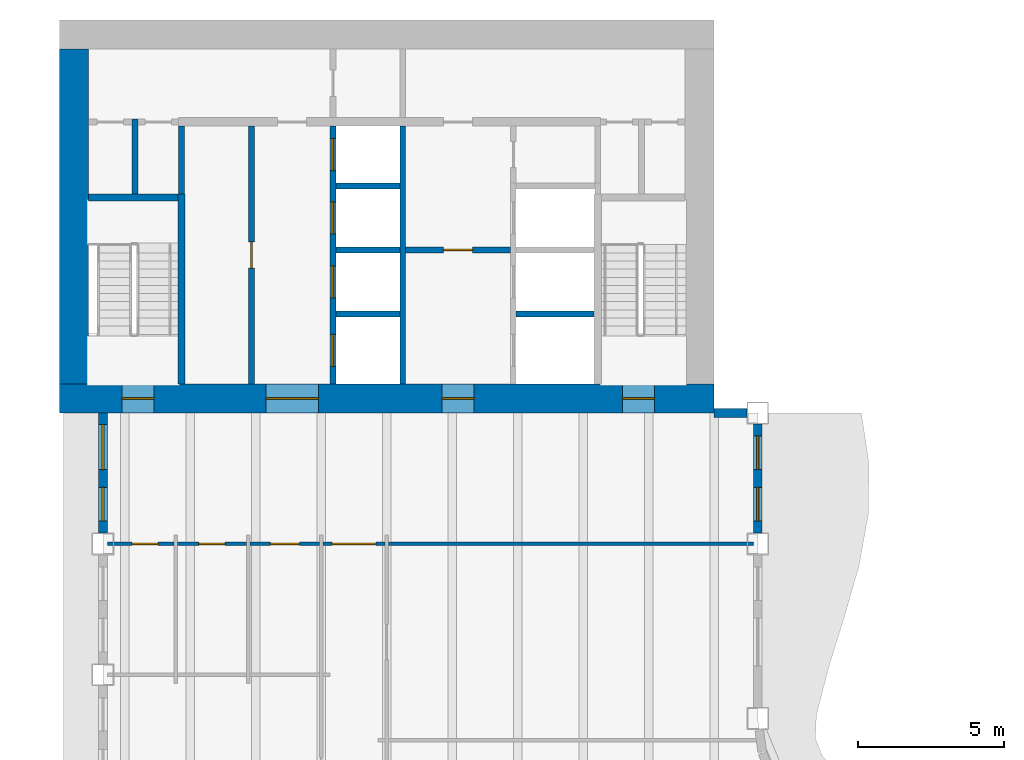
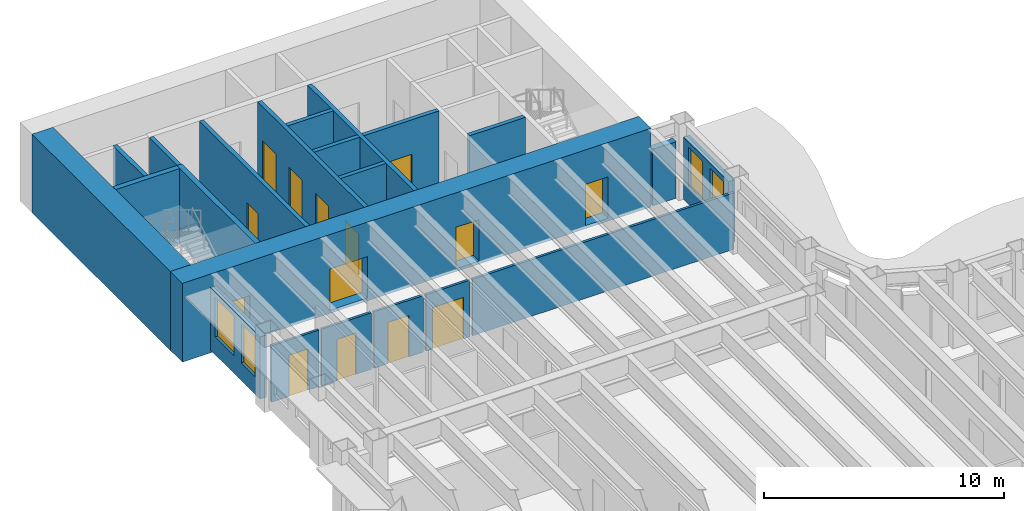
# One storey, part 8 of 16: 22 walls, 14 doors, 4 windows, 18 openings.
"""IFC4 building model written with IfcOpenShell, lengths in metres."""

from ifc_helpers import new_model, si_unit, direction, frame, frame_2d, origin, place, context, subcontext, project, spatial, rectangle, extrude, material, layer, layer_set, type_object, element, fill, save


model = new_model("IFC4")

# Units and contexts
model_context = context("Model", 3, precision=1e-05, world=origin(), true_north=direction((0.0, 1.0)))
body_context = subcontext(model_context, "Body", "Model", "MODEL_VIEW")
ifc_project = project(units=[si_unit("LENGTHUNIT", "METRE"), si_unit("AREAUNIT", "SQUARE_METRE"), si_unit("VOLUMEUNIT", "CUBIC_METRE"), si_unit("PLANEANGLEUNIT", "RADIAN"), si_unit("MASSUNIT", "GRAM", prefix="KILO")], contexts=[model_context])

# Site, building, storey
site_placement = place(None, origin())
site = spatial("IfcSite", under=ifc_project, at=site_placement, CompositionType="ELEMENT")
building_placement = place(site_placement, origin())
building = spatial("IfcBuilding", under=site, at=building_placement, Name="Sennacour Bend Tower", CompositionType="ELEMENT")
storey_placement = place(building_placement, frame((0.0, 0.0, 223.0)))
storey = spatial("IfcBuildingStorey", under=building, at=storey_placement, Name="L51", CompositionType="ELEMENT", Elevation=223.0)

# Wall, openings, doors
ifc_material_1 = material(Name="Concrete C60/75", Category="concrete")
ifc_layer_1 = layer(ifc_material_1, 1.0, Name="Concrete C60/75", Category="concrete")
ifc_layer_set_1 = layer_set([ifc_layer_1], Name="Concrete C60/75")
wall_type_1 = type_object("IfcWallType", Name="Core wall 1000 C60/75", PredefinedType="SHEAR", material=ifc_layer_set_1)
wall_1_placement = place(storey_placement, frame((0.0, 36.5, -0.14990234375), z_axis=(0.0, 0.0, 1.0), x_axis=(1.0, 0.0, 0.0)))
wall_1 = element("IfcWall", 1, at=wall_1_placement, inside=storey, type_object=wall_type_1, Name="Core B wall L51 S", PredefinedType="SHEAR", context=body_context, shape_type="SweptSolid", body=[
    extrude(rectangle(XDim=22.5, YDim=1.0, at=frame_2d((11.25, 0.0))), origin(), (0.0, 0.0, 1.0), 4.0),
])
opening_1_placement = place(wall_1_placement, frame((7.10009765625, 0.0, 0.14990234375)))
opening_1 = element("IfcOpeningElement", 2, at=opening_1_placement, cuts=wall_1, Name="Opening CD", PredefinedType="OPENING", context=body_context, shape_type="SweptSolid", body=[
    extrude(rectangle(XDim=1.800048828125, YDim=2.10009765625, at=frame_2d((0.89990234375, 1.050048828125))), frame((0.0, 0.510009765625, 0.0), z_axis=(0.0, -1.0, 0.0), x_axis=(1.0, 0.0, 0.0)), (0.0, 0.0, 1.0), 1.02001953125),
])
opening_2_placement = place(wall_1_placement, frame((13.14990234375, 0.0, 0.14990234375)))
opening_2 = element("IfcOpeningElement", 3, at=opening_2_placement, cuts=wall_1, Name="Opening FD", PredefinedType="OPENING", context=body_context, shape_type="SweptSolid", body=[
    extrude(rectangle(XDim=1.10009765625, YDim=2.10009765625, at=frame_2d((0.550048828125, 1.050048828125))), frame((0.0, 0.510009765625, 0.0), z_axis=(0.0, -1.0, 0.0), x_axis=(1.0, 0.0, 0.0)), (0.0, 0.0, 1.0), 1.02001953125),
])
opening_3_placement = place(wall_1_placement, frame((2.14990234375, 0.0, 0.14990234375)))
opening_3 = element("IfcOpeningElement", 4, at=opening_3_placement, cuts=wall_1, Name="Opening SD", PredefinedType="OPENING", context=body_context, shape_type="SweptSolid", body=[
    extrude(rectangle(XDim=1.10009765625, YDim=2.10009765625, at=frame_2d((0.550048828125, 1.050048828125))), frame((0.0, 0.510009765625, 0.0), z_axis=(0.0, -1.0, 0.0), x_axis=(1.0, 0.0, 0.0)), (0.0, 0.0, 1.0), 1.02001953125),
])
opening_4_placement = place(wall_1_placement, frame((19.35009765625, 0.0, 0.14990234375)))
opening_4 = element("IfcOpeningElement", 5, at=opening_4_placement, cuts=wall_1, Name="Opening SD", PredefinedType="OPENING", context=body_context, shape_type="SweptSolid", body=[
    extrude(rectangle(XDim=1.10009765625, YDim=2.10009765625, at=frame_2d((0.550048828125, 1.050048828125))), frame((0.0, 0.510009765625, 0.0), z_axis=(0.0, -1.0, 0.0), x_axis=(1.0, 0.0, 0.0)), (0.0, 0.0, 1.0), 1.02001953125),
])
ifc_material_2 = material(Name="Painted steel", Category="steel")
door_type_1 = type_object("IfcDoorType", Name="DR-FFL-1100", OperationType="NOTDEFINED", PredefinedType="DOOR", material=ifc_material_2)
door_1_placement = place(opening_2_placement, origin())
door_1 = element("IfcDoor", 6, at=door_1_placement, inside=storey, type_object=door_type_1, Name="Door", OperationType="SINGLE_SWING_RIGHT", OverallHeight=2.10009765625, OverallWidth=1.10009765625, PredefinedType="DOOR", context=body_context, shape_type="SweptSolid", body=[
    extrude(rectangle(XDim=1.10009765625, YDim=2.10009765625, at=frame_2d((0.550048828125, 1.050048828125))), frame((0.0, 0.02490234375, 0.0), z_axis=(0.0, -1.0, 0.0), x_axis=(1.0, 0.0, 0.0)), (0.0, 0.0, 1.0), 0.050048828125),
])
fill(opening_2, door_1)
door_type_2 = type_object("IfcDoorType", Name="DR-LOBBY-1800", OperationType="NOTDEFINED", PredefinedType="DOOR", material=ifc_material_2)
door_2_placement = place(opening_1_placement, origin())
door_2 = element("IfcDoor", 7, at=door_2_placement, inside=storey, type_object=door_type_2, Name="Door", OperationType="DOUBLE_DOOR_SINGLE_SWING", OverallHeight=2.10009765625, OverallWidth=1.800048828125, PredefinedType="DOOR", context=body_context, shape_type="SweptSolid", body=[
    extrude(rectangle(XDim=1.800048828125, YDim=2.10009765625, at=frame_2d((0.89990234375, 1.050048828125))), frame((0.0, 0.02490234375, 0.0), z_axis=(0.0, -1.0, 0.0), x_axis=(1.0, 0.0, 0.0)), (0.0, 0.0, 1.0), 0.050048828125),
])
fill(opening_1, door_2)
door_type_3 = type_object("IfcDoorType", Name="DR-STAIR-1100", OperationType="NOTDEFINED", PredefinedType="DOOR", material=ifc_material_2)
door_3_placement = place(opening_3_placement, origin())
door_3 = element("IfcDoor", 8, at=door_3_placement, inside=storey, type_object=door_type_3, Name="Door", OperationType="SINGLE_SWING_LEFT", OverallHeight=2.10009765625, OverallWidth=1.10009765625, PredefinedType="DOOR", context=body_context, shape_type="SweptSolid", body=[
    extrude(rectangle(XDim=1.10009765625, YDim=2.10009765625, at=frame_2d((0.550048828125, 1.050048828125))), frame((0.0, 0.02490234375, 0.0), z_axis=(0.0, -1.0, 0.0), x_axis=(1.0, 0.0, 0.0)), (0.0, 0.0, 1.0), 0.050048828125),
])
fill(opening_3, door_3)
door_4_placement = place(opening_4_placement, origin())
door_4 = element("IfcDoor", 9, at=door_4_placement, inside=storey, type_object=door_type_3, Name="Door", OperationType="SINGLE_SWING_RIGHT", OverallHeight=2.10009765625, OverallWidth=1.10009765625, PredefinedType="DOOR", context=body_context, shape_type="SweptSolid", body=[
    extrude(rectangle(XDim=1.10009765625, YDim=2.10009765625, at=frame_2d((0.550048828125, 1.050048828125))), frame((0.0, 0.02490234375, 0.0), z_axis=(0.0, -1.0, 0.0), x_axis=(1.0, 0.0, 0.0)), (0.0, 0.0, 1.0), 0.050048828125),
])
fill(opening_4, door_4)

# Wall
wall_2_placement = place(storey_placement, frame((0.5, 37.0, -0.14990234375), z_axis=(0.0, 0.0, 1.0), x_axis=(0.0, 1.0, 0.0)))
element("IfcWall", 10, at=wall_2_placement, inside=storey, type_object=wall_type_1, Name="Core B wall L51 W", PredefinedType="SHEAR", context=body_context, shape_type="SweptSolid", body=[
    extrude(rectangle(XDim=11.5, YDim=1.0, at=frame_2d((5.75, 0.0))), origin(), (0.0, 0.0, 1.0), 4.0),
])

# Wall, opening, door
ifc_material_3 = material(Name="Plasterboard partition on steel studs", Category="steel")
ifc_layer_2 = layer(ifc_material_3, 0.1201171875, Name="Plasterboard partition on steel studs", Category="steel")
ifc_layer_set_2 = layer_set([ifc_layer_2], Name="Plasterboard partition on steel studs")
wall_type_2 = type_object("IfcWallType", Name="Partition 120", PredefinedType="PARTITIONING", material=ifc_layer_set_2)
wall_3_placement = place(storey_placement, frame((1.64990234375, 31.5, 0.0), z_axis=(0.0, 0.0, 1.0), x_axis=(1.0, 0.0, 0.0)))
wall_3 = element("IfcWall", 11, at=wall_3_placement, inside=storey, type_object=wall_type_2, Name="P-L51-W084aa", PredefinedType="PARTITIONING", context=body_context, shape_type="SweptSolid", body=[
    extrude(rectangle(XDim=2.2900390625, YDim=0.1201171875, at=frame_2d((1.14501953125, 0.0))), origin(), (0.0, 0.0, 1.0), 2.8701171875),
])
opening_5_placement = place(wall_3_placement, frame((0.85009765625, 0.0, 0.0)))
opening_5 = element("IfcOpeningElement", 12, at=opening_5_placement, cuts=wall_3, Name="Opening WD", PredefinedType="OPENING", context=body_context, shape_type="SweptSolid", body=[
    extrude(rectangle(XDim=0.89990234375, YDim=2.10009765625, at=frame_2d((0.449951171875, 1.050048828125))), frame((0.0, 0.070068359375, 0.0), z_axis=(0.0, -1.0, 0.0), x_axis=(1.0, 0.0, 0.0)), (0.0, 0.0, 1.0), 0.14013671875),
])
ifc_material_4 = material(Name="Timber", Category="wood")
door_type_4 = type_object("IfcDoorType", Name="DR-WC-900", OperationType="NOTDEFINED", PredefinedType="DOOR", material=ifc_material_4)
door_5_placement = place(opening_5_placement, origin())
door_5 = element("IfcDoor", 13, at=door_5_placement, inside=storey, type_object=door_type_4, Name="Door", OperationType="SINGLE_SWING_RIGHT", OverallHeight=2.10009765625, OverallWidth=0.89990234375, PredefinedType="DOOR", context=body_context, shape_type="SweptSolid", body=[
    extrude(rectangle(XDim=0.89990234375, YDim=2.10009765625, at=frame_2d((0.449951171875, 1.050048828125))), frame((0.0, 0.02490234375, 0.0), z_axis=(0.0, -1.0, 0.0), x_axis=(1.0, 0.0, 0.0)), (0.0, 0.0, 1.0), 0.050048828125),
])
fill(opening_5, door_5)

wall_4_placement = place(storey_placement, frame((4.06005859375, 31.5, 0.0), z_axis=(0.0, 0.0, 1.0), x_axis=(1.0, 0.0, 0.0)))
wall_4 = element("IfcWall", 14, at=wall_4_placement, inside=storey, type_object=wall_type_2, Name="P-L51-W084ab", PredefinedType="PARTITIONING", context=body_context, shape_type="SweptSolid", body=[
    extrude(rectangle(XDim=2.3798828125, YDim=0.1201171875, at=frame_2d((1.18994140625, 0.0))), origin(), (0.0, 0.0, 1.0), 2.8701171875),
])
opening_6_placement = place(wall_4_placement, frame((0.739990234375, 0.0, 0.0)))
opening_6 = element("IfcOpeningElement", 15, at=opening_6_placement, cuts=wall_4, Name="Opening WD", PredefinedType="OPENING", context=body_context, shape_type="SweptSolid", body=[
    extrude(rectangle(XDim=0.89990234375, YDim=2.10009765625, at=frame_2d((0.449951171875, 1.050048828125))), frame((0.0, 0.070068359375, 0.0), z_axis=(0.0, -1.0, 0.0), x_axis=(1.0, 0.0, 0.0)), (0.0, 0.0, 1.0), 0.14013671875),
])
door_6_placement = place(opening_6_placement, origin())
door_6 = element("IfcDoor", 16, at=door_6_placement, inside=storey, type_object=door_type_4, Name="Door", OperationType="SINGLE_SWING_LEFT", OverallHeight=2.10009765625, OverallWidth=0.89990234375, PredefinedType="DOOR", context=body_context, shape_type="SweptSolid", body=[
    extrude(rectangle(XDim=0.89990234375, YDim=2.10009765625, at=frame_2d((0.449951171875, 1.050048828125))), frame((0.0, 0.02490234375, 0.0), z_axis=(0.0, -1.0, 0.0), x_axis=(1.0, 0.0, 0.0)), (0.0, 0.0, 1.0), 0.050048828125),
])
fill(opening_6, door_6)

wall_5_placement = place(storey_placement, frame((6.56005859375, 31.5, 0.0), z_axis=(0.0, 0.0, 1.0), x_axis=(1.0, 0.0, 0.0)))
wall_5 = element("IfcWall", 17, at=wall_5_placement, inside=storey, type_object=wall_type_2, Name="P-L51-W084ac", PredefinedType="PARTITIONING", context=body_context, shape_type="SweptSolid", body=[
    extrude(rectangle(XDim=2.3798828125, YDim=0.1201171875, at=frame_2d((1.18994140625, 0.0))), origin(), (0.0, 0.0, 1.0), 2.8701171875),
])
opening_7_placement = place(wall_5_placement, frame((0.68994140625, 0.0, 0.0)))
opening_7 = element("IfcOpeningElement", 18, at=opening_7_placement, cuts=wall_5, Name="Opening AD", PredefinedType="OPENING", context=body_context, shape_type="SweptSolid", body=[
    extrude(rectangle(XDim=1.0, YDim=2.10009765625, at=frame_2d((0.5, 1.050048828125))), frame((0.0, 0.070068359375, 0.0), z_axis=(0.0, -1.0, 0.0), x_axis=(1.0, 0.0, 0.0)), (0.0, 0.0, 1.0), 0.14013671875),
])
door_type_5 = type_object("IfcDoorType", Name="DR-ACC-WC-1000", OperationType="NOTDEFINED", PredefinedType="DOOR", material=ifc_material_4)
door_7_placement = place(opening_7_placement, origin())
door_7 = element("IfcDoor", 19, at=door_7_placement, inside=storey, type_object=door_type_5, Name="Door", OperationType="SINGLE_SWING_LEFT", OverallHeight=2.10009765625, OverallWidth=1.0, PredefinedType="DOOR", context=body_context, shape_type="SweptSolid", body=[
    extrude(rectangle(XDim=1.0, YDim=2.10009765625, at=frame_2d((0.5, 1.050048828125))), frame((0.0, 0.02490234375, 0.0), z_axis=(0.0, -1.0, 0.0), x_axis=(1.0, 0.0, 0.0)), (0.0, 0.0, 1.0), 0.050048828125),
])
fill(opening_7, door_7)

# Wall
wall_6_placement = place(storey_placement, frame((11.31005859375, 31.5, 0.0), z_axis=(0.0, 0.0, 1.0), x_axis=(1.0, 0.0, 0.0)))
element("IfcWall", 20, at=wall_6_placement, inside=storey, type_object=wall_type_2, Name="P-L51-W084ae", PredefinedType="PARTITIONING", context=body_context, shape_type="SweptSolid", body=[
    extrude(rectangle(XDim=12.5400390625, YDim=0.1201171875, at=frame_2d((6.27001953125, 0.0))), origin(), (0.0, 0.0, 1.0), 2.8701171875),
])

# Wall, opening, door
ifc_layer_3 = layer(ifc_material_3, 0.1201171875, Name="Plasterboard partition on steel studs", Category="steel")
ifc_layer_set_3 = layer_set([ifc_layer_3], Name="Plasterboard partition on steel studs")
wall_type_3 = type_object("IfcWallType", Name="Partition 120 EI 30", PredefinedType="PARTITIONING", material=ifc_layer_set_3)
wall_7_placement = place(storey_placement, frame((9.06005859375, 31.5, 0.0), z_axis=(0.0, 0.0, 1.0), x_axis=(1.0, 0.0, 0.0)))
wall_7 = element("IfcWall", 21, at=wall_7_placement, inside=storey, type_object=wall_type_3, Name="P-L51-W084ad", PredefinedType="PARTITIONING", context=body_context, shape_type="SweptSolid", body=[
    extrude(rectangle(XDim=2.1298828125, YDim=0.1201171875, at=frame_2d((1.06494140625, 0.0))), origin(), (0.0, 0.0, 1.0), 2.8701171875),
])
opening_8_placement = place(wall_7_placement, frame((0.31494140625, 0.0, 0.0)))
opening_8 = element("IfcOpeningElement", 22, at=opening_8_placement, cuts=wall_7, Name="Opening KD", PredefinedType="OPENING", context=body_context, shape_type="SweptSolid", body=[
    extrude(rectangle(XDim=1.5, YDim=2.10009765625, at=frame_2d((0.75, 1.050048828125))), frame((0.0, 0.070068359375, 0.0), z_axis=(0.0, -1.0, 0.0), x_axis=(1.0, 0.0, 0.0)), (0.0, 0.0, 1.0), 0.14013671875),
])
door_type_6 = type_object("IfcDoorType", Name="DR-CORRIDOR-1500", OperationType="NOTDEFINED", PredefinedType="DOOR", material=ifc_material_2)
door_8_placement = place(opening_8_placement, origin())
door_8 = element("IfcDoor", 23, at=door_8_placement, inside=storey, type_object=door_type_6, Name="Door", OperationType="SINGLE_SWING_LEFT", OverallHeight=2.10009765625, OverallWidth=1.5, PredefinedType="DOOR", context=body_context, shape_type="SweptSolid", body=[
    extrude(rectangle(XDim=1.5, YDim=2.10009765625, at=frame_2d((0.75, 1.050048828125))), frame((0.0, 0.02490234375, 0.0), z_axis=(0.0, -1.0, 0.0), x_axis=(1.0, 0.0, 0.0)), (0.0, 0.0, 1.0), 0.050048828125),
])
fill(opening_8, door_8)

# Walls
ifc_material_5 = material(Name="Fire-rated plasterboard partition on steel studs", Category="steel")
ifc_layer_4 = layer(ifc_material_5, 0.199951171875, Name="Fire-rated plasterboard partition on steel studs", Category="steel")
ifc_layer_set_4 = layer_set([ifc_layer_4], Name="Fire-rated plasterboard partition on steel studs")
wall_type_4 = type_object("IfcWallType", Name="Rated partition 200", PredefinedType="PARTITIONING", material=ifc_layer_set_4)
wall_8_placement = place(storey_placement, frame((2.60009765625, 43.52490234375, 0.0), z_axis=(0.0, 0.0, 1.0), x_axis=(0.0, 1.0, 0.0)))
element("IfcWall", 24, at=wall_8_placement, inside=storey, type_object=wall_type_4, Name="P-L51-W004", PredefinedType="PARTITIONING", context=body_context, shape_type="SweptSolid", body=[
    extrude(rectangle(XDim=2.5751953125, YDim=0.199951171875, at=frame_2d((1.28759765625, 0.0))), origin(), (0.0, 0.0, 1.0), 3.85009765625),
])
wall_9_placement = place(storey_placement, frame((4.199951171875, 43.52490234375, 0.0), z_axis=(0.0, 0.0, 1.0), x_axis=(0.0, 1.0, 0.0)))
element("IfcWall", 25, at=wall_9_placement, inside=storey, type_object=wall_type_4, Name="P-L51-W007", PredefinedType="PARTITIONING", context=body_context, shape_type="SweptSolid", body=[
    extrude(rectangle(XDim=2.3251953125, YDim=0.199951171875, at=frame_2d((1.16259765625, 0.0))), origin(), (0.0, 0.0, 1.0), 3.85009765625),
])

# Wall, opening, door
wall_10_placement = place(storey_placement, frame((6.60009765625, 37.0, 0.0), z_axis=(0.0, 0.0, 1.0), x_axis=(0.0, 1.0, 0.0)))
wall_10 = element("IfcWall", 26, at=wall_10_placement, inside=storey, type_object=wall_type_4, Name="P-L51-W009", PredefinedType="PARTITIONING", context=body_context, shape_type="SweptSolid", body=[
    extrude(rectangle(XDim=8.85009765625, YDim=0.199951171875, at=frame_2d((4.425048828125, 0.0))), origin(), (0.0, 0.0, 1.0), 3.85009765625),
])
opening_9_placement = place(wall_10_placement, frame((3.97509765625, 0.0, 0.0)))
opening_9 = element("IfcOpeningElement", 27, at=opening_9_placement, cuts=wall_10, Name="Opening SV", PredefinedType="OPENING", context=body_context, shape_type="SweptSolid", body=[
    extrude(rectangle(XDim=0.89990234375, YDim=2.10009765625, at=frame_2d((0.449951171875, 1.050048828125))), frame((0.0, 0.10986328125, 0.0), z_axis=(0.0, -1.0, 0.0), x_axis=(1.0, 0.0, 0.0)), (0.0, 0.0, 1.0), 0.219970703125),
])
door_type_7 = type_object("IfcDoorType", Name="DR-SERVICE-900", OperationType="NOTDEFINED", PredefinedType="DOOR", material=ifc_material_2)
door_9_placement = place(opening_9_placement, origin())
door_9 = element("IfcDoor", 28, at=door_9_placement, inside=storey, type_object=door_type_7, Name="Door", OperationType="SINGLE_SWING_LEFT", OverallHeight=2.10009765625, OverallWidth=0.89990234375, PredefinedType="DOOR", context=body_context, shape_type="SweptSolid", body=[
    extrude(rectangle(XDim=0.89990234375, YDim=2.10009765625, at=frame_2d((0.449951171875, 1.050048828125))), frame((0.0, 0.02490234375, 0.0), z_axis=(0.0, -1.0, 0.0), x_axis=(1.0, 0.0, 0.0)), (0.0, 0.0, 1.0), 0.050048828125),
])
fill(opening_9, door_9)

ifc_layer_5 = layer(ifc_material_5, 0.199951171875, Name="Fire-rated plasterboard partition on steel studs", Category="steel")
ifc_layer_set_5 = layer_set([ifc_layer_5], Name="Fire-rated plasterboard partition on steel studs")
wall_type_5 = type_object("IfcWallType", Name="Rated partition 200 EI 90", PredefinedType="PARTITIONING", material=ifc_layer_set_5)
wall_11_placement = place(storey_placement, frame((11.89990234375, 41.60009765625, 0.0), z_axis=(0.0, 0.0, 1.0), x_axis=(1.0, 0.0, 0.0)))
wall_11 = element("IfcWall", 29, at=wall_11_placement, inside=storey, type_object=wall_type_5, Name="P-L51-W089", PredefinedType="PARTITIONING", context=body_context, shape_type="SweptSolid", body=[
    extrude(rectangle(XDim=3.60009765625, YDim=0.199951171875, at=frame_2d((1.800048828125, 0.0))), origin(), (0.0, 0.0, 1.0), 3.85009765625),
])
opening_10_placement = place(wall_11_placement, frame((1.300048828125, 0.0, 0.0)))
opening_10 = element("IfcOpeningElement", 30, at=opening_10_placement, cuts=wall_11, Name="Opening FD2", PredefinedType="OPENING", context=body_context, shape_type="SweptSolid", body=[
    extrude(rectangle(XDim=1.0, YDim=2.10009765625, at=frame_2d((0.5, 1.050048828125))), frame((0.0, 0.10986328125, 0.0), z_axis=(0.0, -1.0, 0.0), x_axis=(1.0, 0.0, 0.0)), (0.0, 0.0, 1.0), 0.219970703125),
])
door_type_8 = type_object("IfcDoorType", Name="DR-FFL-1000", OperationType="NOTDEFINED", PredefinedType="DOOR", material=ifc_material_2)
door_10_placement = place(opening_10_placement, origin())
door_10 = element("IfcDoor", 31, at=door_10_placement, inside=storey, type_object=door_type_8, Name="Door", OperationType="SINGLE_SWING_RIGHT", OverallHeight=2.10009765625, OverallWidth=1.0, PredefinedType="DOOR", context=body_context, shape_type="SweptSolid", body=[
    extrude(rectangle(XDim=1.0, YDim=2.10009765625, at=frame_2d((0.5, 1.050048828125))), frame((0.0, 0.02490234375, 0.0), z_axis=(0.0, -1.0, 0.0), x_axis=(1.0, 0.0, 0.0)), (0.0, 0.0, 1.0), 0.050048828125),
])
fill(opening_10, door_10)

# Wall, openings, windows
ifc_material_6 = material(Name="Warm limestone cladding", Category="masonry")
ifc_layer_6 = layer(ifc_material_6, 0.050048828125, Name="Warm limestone cladding", Category="masonry")
ifc_material_7 = material(Name="Precast concrete C40/50", Category="concrete")
ifc_layer_7 = layer(ifc_material_7, 0.25, Name="Precast concrete C40/50", Category="concrete")
ifc_layer_set_6 = layer_set([ifc_layer_6, ifc_layer_7], Name="Precast concrete C40/50 with limestone cladding")
wall_type_6 = type_object("IfcWallType", Name="STONE-CLAD PRECAST SPANDREL 300", PredefinedType="STANDARD", material=ifc_layer_set_6)
wall_12_placement = place(storey_placement, frame((24.0, 31.875, 0.0), z_axis=(0.0, 0.0, 1.0), x_axis=(0.0, 1.0, 0.0)))
wall_12 = element("IfcWall", 32, at=wall_12_placement, inside=storey, type_object=wall_type_6, Name="Stone spandrel and pier wall L51 13.01", PredefinedType="STANDARD", context=body_context, shape_type="SweptSolid", body=[
    extrude(rectangle(XDim=3.75, YDim=0.300048828125, at=frame_2d((1.875, 0.0))), origin(), (0.0, 0.0, 1.0), 3.156982421875),
])
opening_11_placement = place(wall_12_placement, frame((0.41259765625, 0.0, 0.89990234375)))
opening_11 = element("IfcOpeningElement", 33, at=opening_11_placement, cuts=wall_12, Name="Opening W24", PredefinedType="OPENING", context=body_context, shape_type="SweptSolid", body=[
    extrude(rectangle(XDim=1.14990234375, YDim=2.0, at=frame_2d((0.574951171875, 1.0))), frame((0.0, 0.16015625, 0.0), z_axis=(0.0, -1.0, 0.0), x_axis=(1.0, 0.0, 0.0)), (0.0, 0.0, 1.0), 0.320068359375),
])
opening_12_placement = place(wall_12_placement, frame((2.1875, 0.0, 0.89990234375)))
opening_12 = element("IfcOpeningElement", 34, at=opening_12_placement, cuts=wall_12, Name="Opening W24", PredefinedType="OPENING", context=body_context, shape_type="SweptSolid", body=[
    extrude(rectangle(XDim=1.14990234375, YDim=2.0, at=frame_2d((0.574951171875, 1.0))), frame((0.0, 0.16015625, 0.0), z_axis=(0.0, -1.0, 0.0), x_axis=(1.0, 0.0, 0.0)), (0.0, 0.0, 1.0), 0.320068359375),
])
ifc_material_8 = material(Name="Clear low-emissivity glass", Category="glass")
window_type_1 = type_object("IfcWindowType", Name="WIN-RIBBON-1150x2000", PartitioningType="SINGLE_PANEL", PredefinedType="WINDOW", material=ifc_material_8)
window_1_placement = place(opening_11_placement, origin())
window_1 = element("IfcWindow", 35, at=window_1_placement, inside=storey, type_object=window_type_1, Name="Ribbon window L51 13.01.0", OverallHeight=2.0, OverallWidth=1.14990234375, PartitioningType="SINGLE_PANEL", PredefinedType="WINDOW", context=body_context, shape_type="SweptSolid", body=[
    extrude(rectangle(XDim=1.14990234375, YDim=2.0, at=frame_2d((0.574951171875, 1.0))), frame((0.0, 0.030029296875, 0.0), z_axis=(0.0, -1.0, 0.0), x_axis=(1.0, 0.0, 0.0)), (0.0, 0.0, 1.0), 0.06005859375),
])
fill(opening_11, window_1)
window_2_placement = place(opening_12_placement, origin())
window_2 = element("IfcWindow", 36, at=window_2_placement, inside=storey, type_object=window_type_1, Name="Ribbon window L51 13.01.1", OverallHeight=2.0, OverallWidth=1.14990234375, PartitioningType="SINGLE_PANEL", PredefinedType="WINDOW", context=body_context, shape_type="SweptSolid", body=[
    extrude(rectangle(XDim=1.14990234375, YDim=2.0, at=frame_2d((0.574951171875, 1.0))), frame((0.0, 0.030029296875, 0.0), z_axis=(0.0, -1.0, 0.0), x_axis=(1.0, 0.0, 0.0)), (0.0, 0.0, 1.0), 0.06005859375),
])
fill(opening_12, window_2)

# Wall
wall_13_placement = place(storey_placement, frame((23.625, 36.0, 0.0), z_axis=(0.0, 0.0, 1.0), x_axis=(-1.0, 0.0, 0.0)))
element("IfcWall", 37, at=wall_13_placement, inside=storey, type_object=wall_type_6, Name="Stone spandrel and pier wall L51 14.00", PredefinedType="STANDARD", context=body_context, shape_type="SweptSolid", body=[
    extrude(rectangle(XDim=1.125, YDim=0.300048828125, at=frame_2d((0.5625, 0.0))), origin(), (0.0, 0.0, 1.0), 2.8701171875),
])

# Wall, openings, windows
wall_14_placement = place(storey_placement, frame((1.5, 36.0, 0.0), z_axis=(0.0, 0.0, 1.0), x_axis=(0.0, -1.0, 0.0)))
wall_14 = element("IfcWall", 38, at=wall_14_placement, inside=storey, type_object=wall_type_6, Name="Stone spandrel and pier wall L51 19.00", PredefinedType="STANDARD", context=body_context, shape_type="SweptSolid", body=[
    extrude(rectangle(XDim=4.125, YDim=0.300048828125, at=frame_2d((2.0625, 0.0))), origin(), (0.0, 0.0, 1.0), 3.156982421875),
])
opening_13_placement = place(wall_14_placement, frame((0.39990234375, 0.0, 0.89990234375)))
opening_13 = element("IfcOpeningElement", 39, at=opening_13_placement, cuts=wall_14, Name="Opening W9", PredefinedType="OPENING", context=body_context, shape_type="SweptSolid", body=[
    extrude(rectangle(XDim=1.550048828125, YDim=2.0, at=frame_2d((0.77490234375, 1.0))), frame((0.0, 0.16015625, 0.0), z_axis=(0.0, -1.0, 0.0), x_axis=(1.0, 0.0, 0.0)), (0.0, 0.0, 1.0), 0.320068359375),
])
opening_14_placement = place(wall_14_placement, frame((2.5625, 0.0, 0.89990234375)))
opening_14 = element("IfcOpeningElement", 40, at=opening_14_placement, cuts=wall_14, Name="Opening W24", PredefinedType="OPENING", context=body_context, shape_type="SweptSolid", body=[
    extrude(rectangle(XDim=1.14990234375, YDim=2.0, at=frame_2d((0.574951171875, 1.0))), frame((0.0, 0.16015625, 0.0), z_axis=(0.0, -1.0, 0.0), x_axis=(1.0, 0.0, 0.0)), (0.0, 0.0, 1.0), 0.320068359375),
])
window_3_placement = place(opening_14_placement, origin())
window_3 = element("IfcWindow", 41, at=window_3_placement, inside=storey, type_object=window_type_1, Name="Ribbon window L51 19.00.1", OverallHeight=2.0, OverallWidth=1.14990234375, PartitioningType="SINGLE_PANEL", PredefinedType="WINDOW", context=body_context, shape_type="SweptSolid", body=[
    extrude(rectangle(XDim=1.14990234375, YDim=2.0, at=frame_2d((0.574951171875, 1.0))), frame((0.0, 0.030029296875, 0.0), z_axis=(0.0, -1.0, 0.0), x_axis=(1.0, 0.0, 0.0)), (0.0, 0.0, 1.0), 0.06005859375),
])
fill(opening_14, window_3)
window_type_2 = type_object("IfcWindowType", Name="WIN-RIBBON-1550x2000", PartitioningType="SINGLE_PANEL", PredefinedType="WINDOW", material=ifc_material_8)
window_4_placement = place(opening_13_placement, origin())
window_4 = element("IfcWindow", 42, at=window_4_placement, inside=storey, type_object=window_type_2, Name="Ribbon window L51 19.00.0", OverallHeight=2.0, OverallWidth=1.550048828125, PartitioningType="SINGLE_PANEL", PredefinedType="WINDOW", context=body_context, shape_type="SweptSolid", body=[
    extrude(rectangle(XDim=1.550048828125, YDim=2.0, at=frame_2d((0.77490234375, 1.0))), frame((0.0, 0.030029296875, 0.0), z_axis=(0.0, -1.0, 0.0), x_axis=(1.0, 0.0, 0.0)), (0.0, 0.0, 1.0), 0.06005859375),
])
fill(opening_13, window_4)

# Wall, openings, doors
ifc_material_9 = material(Name="Concrete C50/60", Category="concrete")
ifc_layer_8 = layer(ifc_material_9, 0.199951171875, Name="Concrete C50/60", Category="concrete")
ifc_layer_set_7 = layer_set([ifc_layer_8], Name="Concrete C50/60")
wall_type_7 = type_object("IfcWallType", Name="Shaft wall 200", PredefinedType="SOLIDWALL", material=ifc_layer_set_7)
wall_15_placement = place(storey_placement, frame((9.39990234375, 37.0, 0.0), z_axis=(0.0, 0.0, 1.0), x_axis=(0.0, 1.0, 0.0)))
wall_15 = element("IfcWall", 43, at=wall_15_placement, inside=storey, type_object=wall_type_7, Name="P-L51-W012", PredefinedType="SOLIDWALL", context=body_context, shape_type="SweptSolid", body=[
    extrude(rectangle(XDim=8.85009765625, YDim=0.199951171875, at=frame_2d((4.425048828125, 0.0))), origin(), (0.0, 0.0, 1.0), 3.85009765625),
])
opening_15_placement = place(wall_15_placement, frame((0.60009765625, 0.0, 0.011962890625)))
opening_15 = element("IfcOpeningElement", 44, at=opening_15_placement, cuts=wall_15, Name="Opening LD", PredefinedType="OPENING", context=body_context, shape_type="SweptSolid", body=[
    extrude(rectangle(XDim=1.10009765625, YDim=2.10009765625, at=frame_2d((0.550048828125, 1.050048828125))), frame((0.0, 0.10986328125, 0.0), z_axis=(0.0, -1.0, 0.0), x_axis=(1.0, 0.0, 0.0)), (0.0, 0.0, 1.0), 0.219970703125),
])
opening_16_placement = place(wall_15_placement, frame((2.949951171875, 0.0, 0.011962890625)))
opening_16 = element("IfcOpeningElement", 45, at=opening_16_placement, cuts=wall_15, Name="Opening LD", PredefinedType="OPENING", context=body_context, shape_type="SweptSolid", body=[
    extrude(rectangle(XDim=1.10009765625, YDim=2.10009765625, at=frame_2d((0.550048828125, 1.050048828125))), frame((0.0, 0.10986328125, 0.0), z_axis=(0.0, -1.0, 0.0), x_axis=(1.0, 0.0, 0.0)), (0.0, 0.0, 1.0), 0.219970703125),
])
opening_17_placement = place(wall_15_placement, frame((5.14990234375, 0.0, 0.011962890625)))
opening_17 = element("IfcOpeningElement", 46, at=opening_17_placement, cuts=wall_15, Name="Opening LD", PredefinedType="OPENING", context=body_context, shape_type="SweptSolid", body=[
    extrude(rectangle(XDim=1.10009765625, YDim=2.10009765625, at=frame_2d((0.550048828125, 1.050048828125))), frame((0.0, 0.10986328125, 0.0), z_axis=(0.0, -1.0, 0.0), x_axis=(1.0, 0.0, 0.0)), (0.0, 0.0, 1.0), 0.219970703125),
])
opening_18_placement = place(wall_15_placement, frame((7.324951171875, 0.0, 0.011962890625)))
opening_18 = element("IfcOpeningElement", 47, at=opening_18_placement, cuts=wall_15, Name="Opening LD", PredefinedType="OPENING", context=body_context, shape_type="SweptSolid", body=[
    extrude(rectangle(XDim=1.10009765625, YDim=2.10009765625, at=frame_2d((0.550048828125, 1.050048828125))), frame((0.0, 0.10986328125, 0.0), z_axis=(0.0, -1.0, 0.0), x_axis=(1.0, 0.0, 0.0)), (0.0, 0.0, 1.0), 0.219970703125),
])
ifc_material_10 = material(Name="Stainless steel", Category="steel")
door_type_9 = type_object("IfcDoorType", Name="DR-LANDING-1100", OperationType="NOTDEFINED", PredefinedType="DOOR", material=ifc_material_10)
door_11_placement = place(opening_15_placement, origin())
door_11 = element("IfcDoor", 48, at=door_11_placement, inside=storey, type_object=door_type_9, Name="Lift landing door MB1", OperationType="SLIDING_TO_RIGHT", OverallHeight=2.10009765625, OverallWidth=1.10009765625, PredefinedType="DOOR", context=body_context, shape_type="SweptSolid", body=[
    extrude(rectangle(XDim=1.10009765625, YDim=2.10009765625, at=frame_2d((0.550048828125, 1.050048828125))), frame((0.0, 0.02490234375, 0.0), z_axis=(0.0, -1.0, 0.0), x_axis=(1.0, 0.0, 0.0)), (0.0, 0.0, 1.0), 0.050048828125),
])
fill(opening_15, door_11)
door_12_placement = place(opening_16_placement, origin())
door_12 = element("IfcDoor", 49, at=door_12_placement, inside=storey, type_object=door_type_9, Name="Lift landing door MB2", OperationType="SLIDING_TO_LEFT", OverallHeight=2.10009765625, OverallWidth=1.10009765625, PredefinedType="DOOR", context=body_context, shape_type="SweptSolid", body=[
    extrude(rectangle(XDim=1.10009765625, YDim=2.10009765625, at=frame_2d((0.550048828125, 1.050048828125))), frame((0.0, 0.02490234375, 0.0), z_axis=(0.0, -1.0, 0.0), x_axis=(1.0, 0.0, 0.0)), (0.0, 0.0, 1.0), 0.050048828125),
])
fill(opening_16, door_12)
door_13_placement = place(opening_17_placement, origin())
door_13 = element("IfcDoor", 50, at=door_13_placement, inside=storey, type_object=door_type_9, Name="Lift landing door MB3", OperationType="SLIDING_TO_RIGHT", OverallHeight=2.10009765625, OverallWidth=1.10009765625, PredefinedType="DOOR", context=body_context, shape_type="SweptSolid", body=[
    extrude(rectangle(XDim=1.10009765625, YDim=2.10009765625, at=frame_2d((0.550048828125, 1.050048828125))), frame((0.0, 0.02490234375, 0.0), z_axis=(0.0, -1.0, 0.0), x_axis=(1.0, 0.0, 0.0)), (0.0, 0.0, 1.0), 0.050048828125),
])
fill(opening_17, door_13)
door_14_placement = place(opening_18_placement, origin())
door_14 = element("IfcDoor", 51, at=door_14_placement, inside=storey, type_object=door_type_9, Name="Lift landing door MB4", OperationType="SLIDING_TO_LEFT", OverallHeight=2.10009765625, OverallWidth=1.10009765625, PredefinedType="DOOR", context=body_context, shape_type="SweptSolid", body=[
    extrude(rectangle(XDim=1.10009765625, YDim=2.10009765625, at=frame_2d((0.550048828125, 1.050048828125))), frame((0.0, 0.02490234375, 0.0), z_axis=(0.0, -1.0, 0.0), x_axis=(1.0, 0.0, 0.0)), (0.0, 0.0, 1.0), 0.050048828125),
])
fill(opening_18, door_14)

# Walls
wall_16_placement = place(storey_placement, frame((11.800048828125, 37.0, 0.0), z_axis=(0.0, 0.0, 1.0), x_axis=(0.0, 1.0, 0.0)))
element("IfcWall", 52, at=wall_16_placement, inside=storey, type_object=wall_type_7, Name="P-L51-W016", PredefinedType="SOLIDWALL", context=body_context, shape_type="SweptSolid", body=[
    extrude(rectangle(XDim=8.85009765625, YDim=0.199951171875, at=frame_2d((4.425048828125, 0.0))), origin(), (0.0, 0.0, 1.0), 3.85009765625),
])
wall_17_placement = place(storey_placement, frame((9.5, 39.39990234375, 0.0), z_axis=(0.0, 0.0, 1.0), x_axis=(1.0, 0.0, 0.0)))
element("IfcWall", 53, at=wall_17_placement, inside=storey, type_object=wall_type_7, Name="P-L51-W086", PredefinedType="SOLIDWALL", context=body_context, shape_type="SweptSolid", body=[
    extrude(rectangle(XDim=2.199951171875, YDim=0.199951171875, at=frame_2d((1.10009765625, 0.0))), origin(), (0.0, 0.0, 1.0), 3.85009765625),
])
wall_18_placement = place(storey_placement, frame((15.699951171875, 39.39990234375, 0.0), z_axis=(0.0, 0.0, 1.0), x_axis=(1.0, 0.0, 0.0)))
element("IfcWall", 54, at=wall_18_placement, inside=storey, type_object=wall_type_7, Name="P-L51-W087", PredefinedType="SOLIDWALL", context=body_context, shape_type="SweptSolid", body=[
    extrude(rectangle(XDim=2.675048828125, YDim=0.199951171875, at=frame_2d((1.33740234375, 0.0))), origin(), (0.0, 0.0, 1.0), 3.85009765625),
])
for number, where, z_axis, x_axis, name in (
    (55, (9.5, 41.60009765625, 0.0), (0.0, 0.0, 1.0), (1.0, 0.0, 0.0), "P-L51-W088"),
    (56, (9.5, 43.800048828125, 0.0), (0.0, 0.0, 1.0), (1.0, 0.0, 0.0), "P-L51-W093"),
):
    element("IfcWall", number, at=place(storey_placement, frame(where, z_axis=z_axis, x_axis=x_axis)), inside=storey, type_object=wall_type_7, Name=name, PredefinedType="SOLIDWALL", context=body_context, shape_type="SweptSolid", body=[
        extrude(rectangle(XDim=2.199951171875, YDim=0.199951171875, at=frame_2d((1.10009765625, 0.0))), origin(), (0.0, 0.0, 1.0), 3.85009765625),
    ])
ifc_layer_9 = layer(ifc_material_1, 0.25, Name="Concrete C60/75", Category="concrete")
ifc_layer_set_8 = layer_set([ifc_layer_9], Name="Concrete C60/75")
wall_type_8 = type_object("IfcWallType", Name="Stair wall 250", PredefinedType="SHEAR", material=ifc_layer_set_8)
wall_19_placement = place(storey_placement, frame((4.199951171875, 37.0, 0.0), z_axis=(0.0, 0.0, 1.0), x_axis=(0.0, 1.0, 0.0)))
element("IfcWall", 57, at=wall_19_placement, inside=storey, type_object=wall_type_8, Name="P-L51-W006", PredefinedType="SHEAR", context=body_context, shape_type="SweptSolid", body=[
    extrude(rectangle(XDim=6.52490234375, YDim=0.25, at=frame_2d((3.262451171875, 0.0))), origin(), (0.0, 0.0, 1.0), 3.85009765625),
])
wall_20_placement = place(storey_placement, frame((1.0, 43.39990234375, 0.0), z_axis=(0.0, 0.0, 1.0), x_axis=(1.0, 0.0, 0.0)))
element("IfcWall", 58, at=wall_20_placement, inside=storey, type_object=wall_type_8, Name="P-L51-W091", PredefinedType="SHEAR", context=body_context, shape_type="SweptSolid", body=[
    extrude(rectangle(XDim=3.074951171875, YDim=0.25, at=frame_2d((1.53759765625, 0.0))), origin(), (0.0, 0.0, 1.0), 3.85009765625),
])

save(model, "model.ifc")
